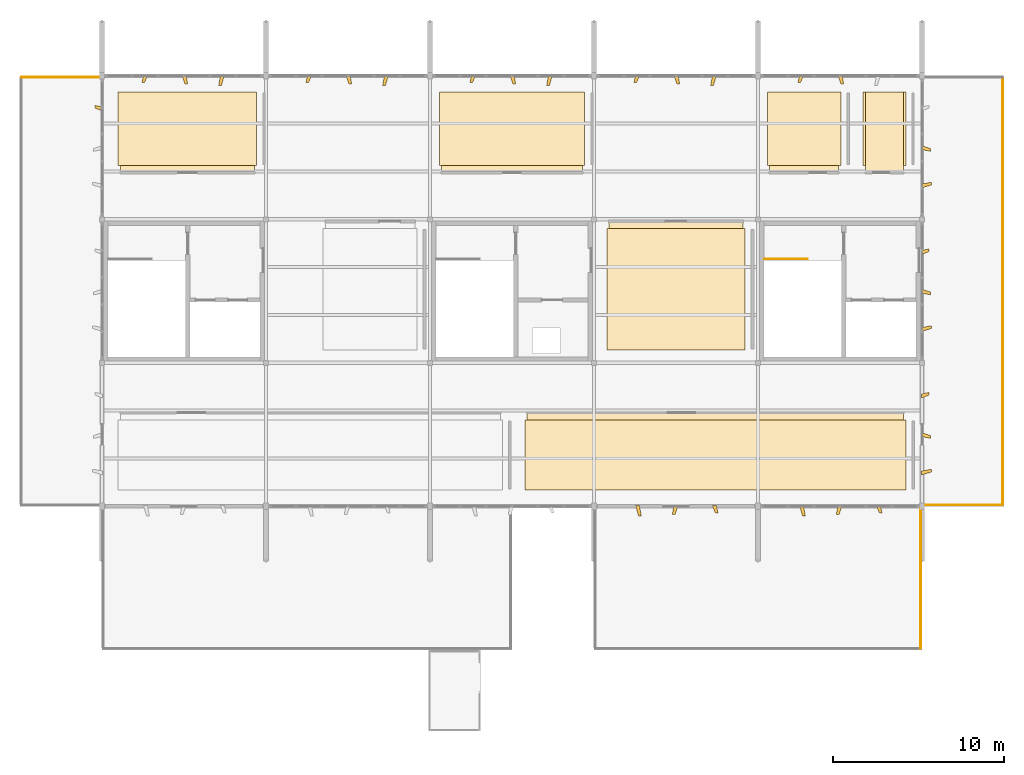
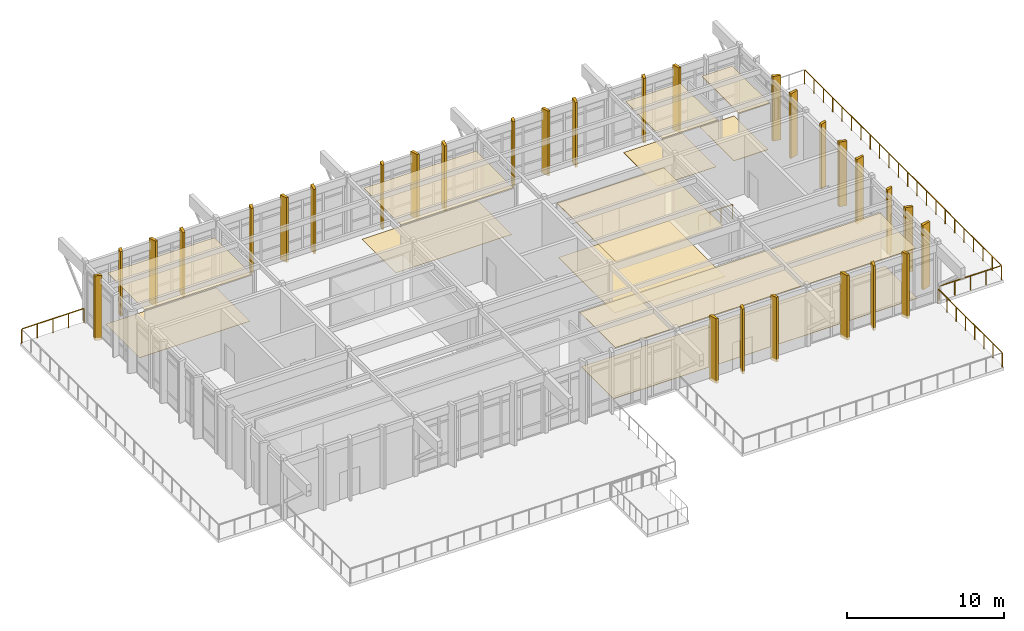
# One storey, part 18 of 19: 41 coverings, 5 railings.
"""IFC4 building model written with IfcOpenShell, lengths in metres."""

from ifc_helpers import new_model, si_unit, direction, frame, origin, origin_2d, place, context, subcontext, project, spatial, polyline, circle, outline, extrude, material, layer, layer_set, type_object, element, save


model = new_model("IFC4")

# Units and contexts
model_context = context("Model", 3, precision=1e-05, world=origin(), true_north=direction((0.0, 1.0)))
body_context = subcontext(model_context, "Body", "Model", "MODEL_VIEW")
ifc_project = project(units=[si_unit("LENGTHUNIT", "METRE"), si_unit("AREAUNIT", "SQUARE_METRE"), si_unit("VOLUMEUNIT", "CUBIC_METRE"), si_unit("PLANEANGLEUNIT", "RADIAN"), si_unit("MASSUNIT", "GRAM", prefix="KILO")], contexts=[model_context])

# Site, building, storey
site_placement = place(None, origin())
site = spatial("IfcSite", under=ifc_project, at=site_placement, CompositionType="ELEMENT")
building_placement = place(site_placement, origin())
building = spatial("IfcBuilding", under=site, at=building_placement, Name="Kolvemor Railside Polytechnic", CompositionType="ELEMENT")
storey_placement = place(building_placement, frame((0.0, 0.0, 27.0)))
storey = spatial("IfcBuildingStorey", under=building, at=storey_placement, Name="L06", CompositionType="ELEMENT", Elevation=27.0)

# Coverings
ifc_material_1 = material(Name="Perforated acoustic mineral-fibre and timber-slat ceiling", Category="wood")
ifc_layer_1 = layer(ifc_material_1, 0.02490234375, Name="COV-CEIL-1")
ifc_layer_set_1 = layer_set([ifc_layer_1], Name="Perforated acoustic mineral-fibre and timber-slat ceiling")
covering_type_1 = type_object("IfcCoveringType", Name="COV-CEIL-1", PredefinedType="CEILING", material=ifc_layer_set_1)
covering_1_placement = place(storey_placement, frame((0.0, 0.0, 3.919921875)))
element("IfcCovering", 1, at=covering_1_placement, inside=storey, type_object=covering_type_1, Name="Library Seminar Room 601 Acoustic Ceiling", PredefinedType="CEILING", context=body_context, shape_type="SweptSolid", body=[
    extrude(outline(polyline([(68.280029296875, 32.719970703125), (76.1201171875, 32.719970703125), (76.1201171875, 37.449951171875), (68.280029296875, 37.449951171875), (68.280029296875, 32.719970703125)])), origin(), (0.0, 0.0, 1.0), 0.025146484375),
])
ifc_material_2 = material(Name="Perforated acoustic mineral-fibre and timber-slat ceiling", Category="wood")
ifc_layer_2 = layer(ifc_material_2, 0.030029296875, Name="COV-CEIL-2")
ifc_layer_set_2 = layer_set([ifc_layer_2], Name="Perforated acoustic mineral-fibre and timber-slat ceiling")
covering_type_2 = type_object("IfcCoveringType", Name="COV-CEIL-2", PredefinedType="CEILING", material=ifc_layer_set_2)
covering_2_placement = place(storey_placement, frame((0.0, 0.0, 3.9150390625)))
element("IfcCovering", 2, at=covering_2_placement, inside=storey, type_object=covering_type_2, Name="Library Reading Commons East Acoustic Ceiling", PredefinedType="CEILING", context=body_context, shape_type="SweptSolid", body=[
    extrude(outline(polyline([(92.080078125, 14.14990234375), (114.1201171875, 14.14990234375), (114.1201171875, 18.679931640625), (92.080078125, 18.679931640625), (92.080078125, 14.14990234375)])), origin(), (0.0, 0.0, 1.0), 0.030029296875),
])
covering_3_placement = place(storey_placement, frame((0.0, 0.0, 3.9150390625)))
element("IfcCovering", 3, at=covering_3_placement, inside=storey, type_object=covering_type_2, Name="Library Group Study Seminar Room 602 Acoustic Ceiling", PredefinedType="CEILING", context=body_context, shape_type="SweptSolid", body=[
    extrude(outline(polyline([(87.080078125, 32.719970703125), (95.320068359375, 32.719970703125), (95.320068359375, 37.449951171875), (87.080078125, 37.449951171875), (87.080078125, 32.719970703125)])), origin(), (0.0, 0.0, 1.0), 0.030029296875),
])
ifc_material_3 = material(Name="Perforated acoustic mineral-fibre and timber-slat ceiling", Category="wood")
ifc_layer_3 = layer(ifc_material_3, 0.034912109375, Name="COV-CEIL-3")
ifc_layer_set_3 = layer_set([ifc_layer_3], Name="Perforated acoustic mineral-fibre and timber-slat ceiling")
covering_type_3 = type_object("IfcCoveringType", Name="COV-CEIL-3", PredefinedType="CEILING", material=ifc_layer_set_3)
covering_4_placement = place(storey_placement, frame((0.0, 0.0, 3.909912109375)))
element("IfcCovering", 4, at=covering_4_placement, inside=storey, type_object=covering_type_3, Name="Technical Librarians and Digital Archive Suite Acoustic Ceiling", PredefinedType="CEILING", context=body_context, shape_type="SweptSolid", body=[
    extrude(outline(polyline([(106.280029296875, 32.719970703125), (110.320068359375, 32.719970703125), (110.320068359375, 37.449951171875), (106.280029296875, 37.449951171875), (106.280029296875, 32.719970703125)])), origin(), (0.0, 0.0, 1.0), 0.03515625),
])
ifc_material_4 = material(Name="Perforated acoustic mineral-fibre and timber-slat ceiling", Category="wood")
ifc_layer_4 = layer(ifc_material_4, 0.0400390625, Name="COV-CEIL-4")
ifc_layer_set_4 = layer_set([ifc_layer_4], Name="Perforated acoustic mineral-fibre and timber-slat ceiling")
covering_type_4 = type_object("IfcCoveringType", Name="COV-CEIL-4", PredefinedType="CEILING", material=ifc_layer_set_4)
covering_5_placement = place(storey_placement, frame((0.0, 0.0, 3.905029296875)))
element("IfcCovering", 5, at=covering_5_placement, inside=storey, type_object=covering_type_4, Name="Library Open Stacks East Acoustic Ceiling", PredefinedType="CEILING", context=body_context, shape_type="SweptSolid", body=[
    extrude(outline(polyline([(96.8798828125, 22.35009765625), (104.719970703125, 22.35009765625), (104.719970703125, 29.8798828125), (96.8798828125, 29.8798828125), (96.8798828125, 22.35009765625)])), origin(), (0.0, 0.0, 1.0), 0.0400390625),
])
covering_6_placement = place(storey_placement, frame((0.0, 0.0, 3.905029296875)))
element("IfcCovering", 6, at=covering_6_placement, inside=storey, type_object=covering_type_4, Name="Library Public and Accessible WC L06 Acoustic Ceiling", PredefinedType="CEILING", context=body_context, shape_type="SweptSolid", body=[
    extrude(outline(polyline([(111.8798828125, 32.719970703125), (114.1201171875, 32.719970703125), (114.1201171875, 37.449951171875), (111.8798828125, 37.449951171875), (111.8798828125, 32.719970703125)])), origin(), (0.0, 0.0, 1.0), 0.0400390625),
])
ifc_material_5 = material(Name="Champagne-bronze PVDF-anodised marine aluminium 5052-H32", Category="aluminium")
ifc_layer_5 = layer(ifc_material_5, 0.179931640625, Name="COV-FIN-CHAMP")
ifc_layer_set_5 = layer_set([ifc_layer_5], Name="Champagne-bronze PVDF-anodised marine aluminium 5052-H32")
covering_type_5 = type_object("IfcCoveringType", Name="COV-FIN-CHAMP", PredefinedType="CLADDING", material=ifc_layer_set_5)
covering_7_placement = place(storey_placement, frame((0.0, 0.0, -0.219970703125)))
element("IfcCovering", 7, at=covering_7_placement, inside=storey, type_object=covering_type_5, Name="Pleated Solar Fin L06-0637", PredefinedType="CLADDING", context=body_context, shape_type="SweptSolid", body=[
    extrude(outline(polyline([(98.43505859375, 13.235107421875), (98.6650390625, 13.235107421875), (98.77001953125, 12.635009765625), (98.610107421875, 12.635009765625), (98.43505859375, 13.235107421875)])), origin(), (0.0, 0.0, 1.0), 5.02001953125),
])
covering_8_placement = place(storey_placement, frame((0.0, 0.0, -0.219970703125)))
element("IfcCovering", 8, at=covering_8_placement, inside=storey, type_object=covering_type_5, Name="Pleated Solar Fin L06-0638", PredefinedType="CLADDING", context=body_context, shape_type="SweptSolid", body=[
    extrude(outline(polyline([(100.68505859375, 13.235107421875), (100.9150390625, 13.235107421875), (100.739990234375, 12.715087890625), (100.580078125, 12.715087890625), (100.68505859375, 13.235107421875)])), origin(), (0.0, 0.0, 1.0), 5.02001953125),
])
covering_9_placement = place(storey_placement, frame((0.0, 0.0, -0.219970703125)))
element("IfcCovering", 9, at=covering_9_placement, inside=storey, type_object=covering_type_5, Name="Pleated Solar Fin L06-0639", PredefinedType="CLADDING", context=body_context, shape_type="SweptSolid", body=[
    extrude(outline(polyline([(102.93505859375, 13.235107421875), (103.1650390625, 13.235107421875), (103.27001953125, 12.794921875), (103.110107421875, 12.794921875), (102.93505859375, 13.235107421875)])), origin(), (0.0, 0.0, 1.0), 5.02001953125),
])
covering_10_placement = place(storey_placement, frame((0.0, 0.0, -0.219970703125)))
element("IfcCovering", 10, at=covering_10_placement, inside=storey, type_object=covering_type_5, Name="Pleated Solar Fin L06-0643", PredefinedType="CLADDING", context=body_context, shape_type="SweptSolid", body=[
    extrude(outline(polyline([(108.034912109375, 13.235107421875), (108.264892578125, 13.235107421875), (108.3701171875, 12.635009765625), (108.2099609375, 12.635009765625), (108.034912109375, 13.235107421875)])), origin(), (0.0, 0.0, 1.0), 5.02001953125),
])
covering_11_placement = place(storey_placement, frame((0.0, 0.0, -0.219970703125)))
element("IfcCovering", 11, at=covering_11_placement, inside=storey, type_object=covering_type_5, Name="Pleated Solar Fin L06-0644", PredefinedType="CLADDING", context=body_context, shape_type="SweptSolid", body=[
    extrude(outline(polyline([(110.284912109375, 13.235107421875), (110.514892578125, 13.235107421875), (110.340087890625, 12.715087890625), (110.179931640625, 12.715087890625), (110.284912109375, 13.235107421875)])), origin(), (0.0, 0.0, 1.0), 5.02001953125),
])
covering_12_placement = place(storey_placement, frame((0.0, 0.0, -0.219970703125)))
element("IfcCovering", 12, at=covering_12_placement, inside=storey, type_object=covering_type_5, Name="Pleated Solar Fin L06-0645", PredefinedType="CLADDING", context=body_context, shape_type="SweptSolid", body=[
    extrude(outline(polyline([(112.534912109375, 13.235107421875), (112.764892578125, 13.235107421875), (112.8701171875, 12.794921875), (112.7099609375, 12.794921875), (112.534912109375, 13.235107421875)])), origin(), (0.0, 0.0, 1.0), 5.02001953125),
])
covering_13_placement = place(storey_placement, frame((0.0, 0.0, -0.219970703125)))
element("IfcCovering", 13, at=covering_13_placement, inside=storey, type_object=covering_type_5, Name="Pleated Solar Fin L06-0663", PredefinedType="CLADDING", context=body_context, shape_type="SweptSolid", body=[
    extrude(outline(polyline([(67.235107421875, 36.3349609375), (67.235107421875, 36.56494140625), (66.7939453125, 36.669921875), (66.7939453125, 36.510009765625), (67.235107421875, 36.3349609375)])), origin(), (0.0, 0.0, 1.0), 5.02001953125),
])
ifc_material_6 = material(Name="Sea-mist PVDF-anodised marine aluminium 5052-H32", Category="aluminium")
ifc_layer_6 = layer(ifc_material_6, 0.159912109375, Name="COV-FIN-MIST")
ifc_layer_set_6 = layer_set([ifc_layer_6], Name="Sea-mist PVDF-anodised marine aluminium 5052-H32")
covering_type_6 = type_object("IfcCoveringType", Name="COV-FIN-MIST", PredefinedType="CLADDING", material=ifc_layer_set_6)
covering_14_placement = place(storey_placement, frame((0.0, 0.0, -0.219970703125)))
element("IfcCovering", 14, at=covering_14_placement, inside=storey, type_object=covering_type_6, Name="Pleated Solar Fin L06-0622", PredefinedType="CLADDING", context=body_context, shape_type="SweptSolid", body=[
    extrude(outline(polyline([(74.364990234375, 38.43505859375), (74.135009765625, 38.43505859375), (74.030029296875, 37.8349609375), (74.18994140625, 37.8349609375), (74.364990234375, 38.43505859375)])), origin(), (0.0, 0.0, 1.0), 5.02001953125),
])
covering_15_placement = place(storey_placement, frame((0.0, 0.0, -0.219970703125)))
element("IfcCovering", 15, at=covering_15_placement, inside=storey, type_object=covering_type_6, Name="Pleated Solar Fin L06-0623", PredefinedType="CLADDING", context=body_context, shape_type="SweptSolid", body=[
    extrude(outline(polyline([(72.114990234375, 38.43505859375), (71.885009765625, 38.43505859375), (72.06005859375, 37.9150390625), (72.219970703125, 37.9150390625), (72.114990234375, 38.43505859375)])), origin(), (0.0, 0.0, 1.0), 5.02001953125),
])
covering_16_placement = place(storey_placement, frame((0.0, 0.0, -0.219970703125)))
element("IfcCovering", 16, at=covering_16_placement, inside=storey, type_object=covering_type_6, Name="Pleated Solar Fin L06-0624", PredefinedType="CLADDING", context=body_context, shape_type="SweptSolid", body=[
    extrude(outline(polyline([(69.864990234375, 38.43505859375), (69.635009765625, 38.43505859375), (69.530029296875, 37.9951171875), (69.68994140625, 37.9951171875), (69.864990234375, 38.43505859375)])), origin(), (0.0, 0.0, 1.0), 5.02001953125),
])
covering_17_placement = place(storey_placement, frame((0.0, 0.0, -0.219970703125)))
element("IfcCovering", 17, at=covering_17_placement, inside=storey, type_object=covering_type_6, Name="Pleated Solar Fin L06-0628", PredefinedType="CLADDING", context=body_context, shape_type="SweptSolid", body=[
    extrude(outline(polyline([(83.965087890625, 38.43505859375), (83.735107421875, 38.43505859375), (83.6298828125, 37.8349609375), (83.7900390625, 37.8349609375), (83.965087890625, 38.43505859375)])), origin(), (0.0, 0.0, 1.0), 5.02001953125),
])
covering_18_placement = place(storey_placement, frame((0.0, 0.0, -0.219970703125)))
element("IfcCovering", 18, at=covering_18_placement, inside=storey, type_object=covering_type_6, Name="Pleated Solar Fin L06-0629", PredefinedType="CLADDING", context=body_context, shape_type="SweptSolid", body=[
    extrude(outline(polyline([(81.715087890625, 38.43505859375), (81.485107421875, 38.43505859375), (81.659912109375, 37.9150390625), (81.820068359375, 37.9150390625), (81.715087890625, 38.43505859375)])), origin(), (0.0, 0.0, 1.0), 5.02001953125),
])
covering_19_placement = place(storey_placement, frame((0.0, 0.0, -0.219970703125)))
element("IfcCovering", 19, at=covering_19_placement, inside=storey, type_object=covering_type_6, Name="Pleated Solar Fin L06-0630", PredefinedType="CLADDING", context=body_context, shape_type="SweptSolid", body=[
    extrude(outline(polyline([(79.465087890625, 38.43505859375), (79.235107421875, 38.43505859375), (79.1298828125, 37.9951171875), (79.2900390625, 37.9951171875), (79.465087890625, 38.43505859375)])), origin(), (0.0, 0.0, 1.0), 5.02001953125),
])
covering_20_placement = place(storey_placement, frame((0.0, 0.0, -0.219970703125)))
element("IfcCovering", 20, at=covering_20_placement, inside=storey, type_object=covering_type_6, Name="Pleated Solar Fin L06-0634", PredefinedType="CLADDING", context=body_context, shape_type="SweptSolid", body=[
    extrude(outline(polyline([(93.56494140625, 38.43505859375), (93.3349609375, 38.43505859375), (93.22998046875, 37.8349609375), (93.389892578125, 37.8349609375), (93.56494140625, 38.43505859375)])), origin(), (0.0, 0.0, 1.0), 5.02001953125),
])
covering_21_placement = place(storey_placement, frame((0.0, 0.0, -0.219970703125)))
element("IfcCovering", 21, at=covering_21_placement, inside=storey, type_object=covering_type_6, Name="Pleated Solar Fin L06-0635", PredefinedType="CLADDING", context=body_context, shape_type="SweptSolid", body=[
    extrude(outline(polyline([(91.31494140625, 38.43505859375), (91.0849609375, 38.43505859375), (91.260009765625, 37.9150390625), (91.419921875, 37.9150390625), (91.31494140625, 38.43505859375)])), origin(), (0.0, 0.0, 1.0), 5.02001953125),
])
covering_22_placement = place(storey_placement, frame((0.0, 0.0, -0.219970703125)))
element("IfcCovering", 22, at=covering_22_placement, inside=storey, type_object=covering_type_6, Name="Pleated Solar Fin L06-0636", PredefinedType="CLADDING", context=body_context, shape_type="SweptSolid", body=[
    extrude(outline(polyline([(89.06494140625, 38.43505859375), (88.8349609375, 38.43505859375), (88.72998046875, 37.9951171875), (88.889892578125, 37.9951171875), (89.06494140625, 38.43505859375)])), origin(), (0.0, 0.0, 1.0), 5.02001953125),
])
covering_23_placement = place(storey_placement, frame((0.0, 0.0, -0.219970703125)))
element("IfcCovering", 23, at=covering_23_placement, inside=storey, type_object=covering_type_6, Name="Pleated Solar Fin L06-0640", PredefinedType="CLADDING", context=body_context, shape_type="SweptSolid", body=[
    extrude(outline(polyline([(103.1650390625, 38.43505859375), (102.93505859375, 38.43505859375), (102.830078125, 37.8349609375), (102.989990234375, 37.8349609375), (103.1650390625, 38.43505859375)])), origin(), (0.0, 0.0, 1.0), 5.02001953125),
])
covering_24_placement = place(storey_placement, frame((0.0, 0.0, -0.219970703125)))
element("IfcCovering", 24, at=covering_24_placement, inside=storey, type_object=covering_type_6, Name="Pleated Solar Fin L06-0641", PredefinedType="CLADDING", context=body_context, shape_type="SweptSolid", body=[
    extrude(outline(polyline([(100.9150390625, 38.43505859375), (100.68505859375, 38.43505859375), (100.860107421875, 37.9150390625), (101.02001953125, 37.9150390625), (100.9150390625, 38.43505859375)])), origin(), (0.0, 0.0, 1.0), 5.02001953125),
])
covering_25_placement = place(storey_placement, frame((0.0, 0.0, -0.219970703125)))
element("IfcCovering", 25, at=covering_25_placement, inside=storey, type_object=covering_type_6, Name="Pleated Solar Fin L06-0642", PredefinedType="CLADDING", context=body_context, shape_type="SweptSolid", body=[
    extrude(outline(polyline([(98.6650390625, 38.43505859375), (98.43505859375, 38.43505859375), (98.330078125, 37.9951171875), (98.489990234375, 37.9951171875), (98.6650390625, 38.43505859375)])), origin(), (0.0, 0.0, 1.0), 5.02001953125),
])
covering_26_placement = place(storey_placement, frame((0.0, 0.0, -0.219970703125)))
element("IfcCovering", 26, at=covering_26_placement, inside=storey, type_object=covering_type_6, Name="Pleated Solar Fin L06-0647", PredefinedType="CLADDING", context=body_context, shape_type="SweptSolid", body=[
    extrude(outline(polyline([(110.514892578125, 38.43505859375), (110.284912109375, 38.43505859375), (110.4599609375, 37.9150390625), (110.6201171875, 37.9150390625), (110.514892578125, 38.43505859375)])), origin(), (0.0, 0.0, 1.0), 5.02001953125),
])
covering_27_placement = place(storey_placement, frame((0.0, 0.0, -0.219970703125)))
element("IfcCovering", 27, at=covering_27_placement, inside=storey, type_object=covering_type_6, Name="Pleated Solar Fin L06-0648", PredefinedType="CLADDING", context=body_context, shape_type="SweptSolid", body=[
    extrude(outline(polyline([(108.264892578125, 38.43505859375), (108.034912109375, 38.43505859375), (107.929931640625, 37.9951171875), (108.090087890625, 37.9951171875), (108.264892578125, 38.43505859375)])), origin(), (0.0, 0.0, 1.0), 5.02001953125),
])
covering_28_placement = place(storey_placement, frame((0.0, 0.0, -0.219970703125)))
element("IfcCovering", 28, at=covering_28_placement, inside=storey, type_object=covering_type_6, Name="Pleated Solar Fin L06-0652", PredefinedType="CLADDING", context=body_context, shape_type="SweptSolid", body=[
    extrude(outline(polyline([(115.1650390625, 15.034912109375), (115.1650390625, 15.264892578125), (115.763916015625, 15.3701171875), (115.763916015625, 15.2099609375), (115.1650390625, 15.034912109375)])), origin(), (0.0, 0.0, 1.0), 5.02001953125),
])
covering_29_placement = place(storey_placement, frame((0.0, 0.0, -0.219970703125)))
element("IfcCovering", 29, at=covering_29_placement, inside=storey, type_object=covering_type_6, Name="Pleated Solar Fin L06-0653", PredefinedType="CLADDING", context=body_context, shape_type="SweptSolid", body=[
    extrude(outline(polyline([(115.1650390625, 17.284912109375), (115.1650390625, 17.514892578125), (115.68505859375, 17.340087890625), (115.68505859375, 17.179931640625), (115.1650390625, 17.284912109375)])), origin(), (0.0, 0.0, 1.0), 5.02001953125),
])
covering_30_placement = place(storey_placement, frame((0.0, 0.0, -0.219970703125)))
element("IfcCovering", 30, at=covering_30_placement, inside=storey, type_object=covering_type_6, Name="Pleated Solar Fin L06-0654", PredefinedType="CLADDING", context=body_context, shape_type="SweptSolid", body=[
    extrude(outline(polyline([(115.1650390625, 19.534912109375), (115.1650390625, 19.764892578125), (115.60595703125, 19.8701171875), (115.60595703125, 19.7099609375), (115.1650390625, 19.534912109375)])), origin(), (0.0, 0.0, 1.0), 5.02001953125),
])
covering_31_placement = place(storey_placement, frame((0.0, 0.0, -0.219970703125)))
element("IfcCovering", 31, at=covering_31_placement, inside=storey, type_object=covering_type_6, Name="Pleated Solar Fin L06-0658", PredefinedType="CLADDING", context=body_context, shape_type="SweptSolid", body=[
    extrude(outline(polyline([(115.1650390625, 23.43505859375), (115.1650390625, 23.6650390625), (115.763916015625, 23.77001953125), (115.763916015625, 23.610107421875), (115.1650390625, 23.43505859375)])), origin(), (0.0, 0.0, 1.0), 5.02001953125),
])
covering_32_placement = place(storey_placement, frame((0.0, 0.0, -0.219970703125)))
element("IfcCovering", 32, at=covering_32_placement, inside=storey, type_object=covering_type_6, Name="Pleated Solar Fin L06-0659", PredefinedType="CLADDING", context=body_context, shape_type="SweptSolid", body=[
    extrude(outline(polyline([(115.1650390625, 25.68505859375), (115.1650390625, 25.9150390625), (115.68505859375, 25.739990234375), (115.68505859375, 25.580078125), (115.1650390625, 25.68505859375)])), origin(), (0.0, 0.0, 1.0), 5.02001953125),
])
covering_33_placement = place(storey_placement, frame((0.0, 0.0, -0.219970703125)))
element("IfcCovering", 33, at=covering_33_placement, inside=storey, type_object=covering_type_6, Name="Pleated Solar Fin L06-0660", PredefinedType="CLADDING", context=body_context, shape_type="SweptSolid", body=[
    extrude(outline(polyline([(115.1650390625, 27.93505859375), (115.1650390625, 28.1650390625), (115.60595703125, 28.27001953125), (115.60595703125, 28.110107421875), (115.1650390625, 27.93505859375)])), origin(), (0.0, 0.0, 1.0), 5.02001953125),
])
covering_34_placement = place(storey_placement, frame((0.0, 0.0, -0.219970703125)))
element("IfcCovering", 34, at=covering_34_placement, inside=storey, type_object=covering_type_6, Name="Pleated Solar Fin L06-0664", PredefinedType="CLADDING", context=body_context, shape_type="SweptSolid", body=[
    extrude(outline(polyline([(115.1650390625, 31.8349609375), (115.1650390625, 32.06494140625), (115.763916015625, 32.169921875), (115.763916015625, 32.010009765625), (115.1650390625, 31.8349609375)])), origin(), (0.0, 0.0, 1.0), 5.02001953125),
])
covering_35_placement = place(storey_placement, frame((0.0, 0.0, -0.219970703125)))
element("IfcCovering", 35, at=covering_35_placement, inside=storey, type_object=covering_type_6, Name="Pleated Solar Fin L06-0665", PredefinedType="CLADDING", context=body_context, shape_type="SweptSolid", body=[
    extrude(outline(polyline([(115.1650390625, 34.0849609375), (115.1650390625, 34.31494140625), (115.68505859375, 34.139892578125), (115.68505859375, 33.97998046875), (115.1650390625, 34.0849609375)])), origin(), (0.0, 0.0, 1.0), 5.02001953125),
])
ifc_material_7 = material(Name="Polished coral-aggregate terrazzo and laboratory epoxy flooring")
ifc_layer_7 = layer(ifc_material_7, 0.02001953125, Name="COV-FLR-1")
ifc_layer_set_7 = layer_set([ifc_layer_7], Name="Polished coral-aggregate terrazzo and laboratory epoxy flooring")
covering_type_7 = type_object("IfcCoveringType", Name="COV-FLR-1", PredefinedType="FLOORING", material=ifc_layer_set_7)
covering_36_placement = place(storey_placement, origin())
element("IfcCovering", 36, at=covering_36_placement, inside=storey, type_object=covering_type_7, Name="Library Seminar Room 601 Floor Finish", PredefinedType="FLOORING", context=body_context, shape_type="SweptSolid", body=[
    extrude(outline(polyline([(68.14990234375, 33.14990234375), (76.25, 33.14990234375), (76.25, 37.449951171875), (68.14990234375, 37.449951171875), (68.14990234375, 33.14990234375)])), origin(), (0.0, 0.0, 1.0), 0.02001953125),
])
ifc_material_8 = material(Name="Polished coral-aggregate terrazzo and laboratory epoxy flooring")
ifc_layer_8 = layer(ifc_material_8, 0.02490234375, Name="COV-FLR-2")
ifc_layer_set_8 = layer_set([ifc_layer_8], Name="Polished coral-aggregate terrazzo and laboratory epoxy flooring")
covering_type_8 = type_object("IfcCoveringType", Name="COV-FLR-2", PredefinedType="FLOORING", material=ifc_layer_set_8)
covering_37_placement = place(storey_placement, origin())
element("IfcCovering", 37, at=covering_37_placement, inside=storey, type_object=covering_type_8, Name="Library Reading Commons East Floor Finish", PredefinedType="FLOORING", context=body_context, shape_type="SweptSolid", body=[
    extrude(outline(polyline([(91.949951171875, 14.14990234375), (114.25, 14.14990234375), (114.25, 18.25), (91.949951171875, 18.25), (91.949951171875, 14.14990234375)])), origin(), (0.0, 0.0, 1.0), 0.02490234375),
])
covering_38_placement = place(storey_placement, origin())
element("IfcCovering", 38, at=covering_38_placement, inside=storey, type_object=covering_type_8, Name="Library Group Study Seminar Room 602 Floor Finish", PredefinedType="FLOORING", context=body_context, shape_type="SweptSolid", body=[
    extrude(outline(polyline([(86.949951171875, 33.14990234375), (95.449951171875, 33.14990234375), (95.449951171875, 37.449951171875), (86.949951171875, 37.449951171875), (86.949951171875, 33.14990234375)])), origin(), (0.0, 0.0, 1.0), 0.02490234375),
])
ifc_material_9 = material(Name="Polished coral-aggregate terrazzo and laboratory epoxy flooring")
ifc_layer_9 = layer(ifc_material_9, 0.030029296875, Name="COV-FLR-3")
ifc_layer_set_9 = layer_set([ifc_layer_9], Name="Polished coral-aggregate terrazzo and laboratory epoxy flooring")
covering_type_9 = type_object("IfcCoveringType", Name="COV-FLR-3", PredefinedType="FLOORING", material=ifc_layer_set_9)
covering_39_placement = place(storey_placement, origin())
element("IfcCovering", 39, at=covering_39_placement, inside=storey, type_object=covering_type_9, Name="Technical Librarians and Digital Archive Suite Floor Finish", PredefinedType="FLOORING", context=body_context, shape_type="SweptSolid", body=[
    extrude(outline(polyline([(106.14990234375, 33.14990234375), (110.449951171875, 33.14990234375), (110.449951171875, 37.449951171875), (106.14990234375, 37.449951171875), (106.14990234375, 33.14990234375)])), origin(), (0.0, 0.0, 1.0), 0.030029296875),
])
ifc_material_10 = material(Name="Polished coral-aggregate terrazzo and laboratory epoxy flooring")
ifc_layer_10 = layer(ifc_material_10, 0.034912109375, Name="COV-FLR-4")
ifc_layer_set_10 = layer_set([ifc_layer_10], Name="Polished coral-aggregate terrazzo and laboratory epoxy flooring")
covering_type_10 = type_object("IfcCoveringType", Name="COV-FLR-4", PredefinedType="FLOORING", material=ifc_layer_set_10)
covering_40_placement = place(storey_placement, origin())
element("IfcCovering", 40, at=covering_40_placement, inside=storey, type_object=covering_type_10, Name="Library Open Stacks East Floor Finish", PredefinedType="FLOORING", context=body_context, shape_type="SweptSolid", body=[
    extrude(outline(polyline([(96.75, 22.35009765625), (104.85009765625, 22.35009765625), (104.85009765625, 29.449951171875), (96.75, 29.449951171875), (96.75, 22.35009765625)])), origin(), (0.0, 0.0, 1.0), 0.034912109375),
])
covering_41_placement = place(storey_placement, origin())
element("IfcCovering", 41, at=covering_41_placement, inside=storey, type_object=covering_type_10, Name="Library Public and Accessible WC L06 Floor Finish", PredefinedType="FLOORING", context=body_context, shape_type="SweptSolid", body=[
    extrude(outline(polyline([(111.75, 33.14990234375), (114.25, 33.14990234375), (114.25, 37.449951171875), (111.75, 37.449951171875), (111.75, 33.14990234375)])), origin(), (0.0, 0.0, 1.0), 0.034912109375),
])

# Railings
ifc_material_11 = material(Name="AISI 316 marine stainless-steel balustrade guard", Category="steel")
railing_type = type_object("IfcRailingType", Name="RLG-GUARD-1120", PredefinedType="BALUSTRADE", material=ifc_material_11)
railing_1_placement = place(storey_placement, frame((115.1201171875, 4.8798828125, 0.0)))
element("IfcRailing", 42, at=railing_1_placement, inside=storey, type_object=railing_type, Name="Corner Study Terrace L06-SE E Guard GR-046", PredefinedType="BALUSTRADE", context=body_context, shape_type="SweptSolid", body=[
    extrude(circle(Radius=0.02392578125, at=origin_2d()), frame((0.0, 0.054931640625, 1.09619140625), z_axis=(0.0, 1.0, 0.0), x_axis=(-1.0, 0.0, 0.0)), (0.0, 0.0, 1.0), 8.070068359375),
    extrude(circle(Radius=0.02099609375, at=origin_2d()), origin(), (0.0, 0.0, 1.0), 1.05712890625),
    extrude(circle(Radius=0.02099609375, at=origin_2d()), frame((0.0, 1.168701171875, 0.0)), (0.0, 0.0, 1.0), 1.05712890625),
    extrude(circle(Radius=0.02099609375, at=origin_2d()), frame((0.0, 2.337158203125, 0.0)), (0.0, 0.0, 1.0), 1.05712890625),
    extrude(circle(Radius=0.02099609375, at=origin_2d()), frame((0.0, 3.505859375, 0.0)), (0.0, 0.0, 1.0), 1.05712890625),
    extrude(circle(Radius=0.02099609375, at=origin_2d()), frame((0.0, 4.67431640625, 0.0)), (0.0, 0.0, 1.0), 1.05712890625),
    extrude(circle(Radius=0.02099609375, at=origin_2d()), frame((0.0, 5.843017578125, 0.0)), (0.0, 0.0, 1.0), 1.05712890625),
    extrude(circle(Radius=0.02099609375, at=origin_2d()), frame((0.0, 7.011474609375, 0.0)), (0.0, 0.0, 1.0), 1.05712890625),
    extrude(circle(Radius=0.02099609375, at=origin_2d()), frame((0.0, 8.18017578125, 0.0)), (0.0, 0.0, 1.0), 1.05712890625),
])
railing_2_placement = place(storey_placement, frame((67.06005859375, 38.320068359375, 0.0)))
element("IfcRailing", 43, at=railing_2_placement, inside=storey, type_object=railing_type, Name="Corner Study Terrace L06-W N Guard GR-049", PredefinedType="BALUSTRADE", context=body_context, shape_type="SweptSolid", body=[
    extrude(circle(Radius=0.02392578125, at=origin_2d()), frame((-0.054931640625, 0.0, 1.09619140625), z_axis=(-1.0, 0.0, 0.0), x_axis=(0.0, -1.0, 0.0)), (0.0, 0.0, 1.0), 4.469970703125),
    extrude(circle(Radius=0.02099609375, at=origin_2d()), origin(), (0.0, 0.0, 1.0), 1.05712890625),
    extrude(circle(Radius=0.02099609375, at=origin_2d()), frame((-1.14501953125, 0.0, 0.0)), (0.0, 0.0, 1.0), 1.05712890625),
    extrude(circle(Radius=0.02099609375, at=origin_2d()), frame((-2.2900390625, 0.0, 0.0)), (0.0, 0.0, 1.0), 1.05712890625),
    extrude(circle(Radius=0.02099609375, at=origin_2d()), frame((-3.43505859375, 0.0, 0.0)), (0.0, 0.0, 1.0), 1.05712890625),
    extrude(circle(Radius=0.02099609375, at=origin_2d()), frame((-4.580078125, 0.0, 0.0)), (0.0, 0.0, 1.0), 1.05712890625),
])
railing_3_placement = place(storey_placement, frame((115.340087890625, 13.280029296875, 0.0)))
element("IfcRailing", 44, at=railing_3_placement, inside=storey, type_object=railing_type, Name="Corner Study Terrace L06-E S Guard GR-051", PredefinedType="BALUSTRADE", context=body_context, shape_type="SweptSolid", body=[
    extrude(circle(Radius=0.02392578125, at=origin_2d()), frame((0.054931640625, 0.0, 1.09619140625), z_axis=(1.0, 0.0, 0.0), x_axis=(0.0, 1.0, 0.0)), (0.0, 0.0, 1.0), 4.4697265625),
    extrude(circle(Radius=0.02099609375, at=origin_2d()), origin(), (0.0, 0.0, 1.0), 1.05712890625),
    extrude(circle(Radius=0.02099609375, at=origin_2d()), frame((1.14501953125, 0.0, 0.0)), (0.0, 0.0, 1.0), 1.05712890625),
    extrude(circle(Radius=0.02099609375, at=origin_2d()), frame((2.2900390625, 0.0, 0.0)), (0.0, 0.0, 1.0), 1.05712890625),
    extrude(circle(Radius=0.02099609375, at=origin_2d()), frame((3.434814453125, 0.0, 0.0)), (0.0, 0.0, 1.0), 1.05712890625),
    extrude(circle(Radius=0.02099609375, at=origin_2d()), frame((4.579833984375, 0.0, 0.0)), (0.0, 0.0, 1.0), 1.05712890625),
])
railing_4_placement = place(storey_placement, frame((119.919921875, 13.280029296875, 0.0)))
element("IfcRailing", 45, at=railing_4_placement, inside=storey, type_object=railing_type, Name="Corner Study Terrace L06-E E Guard GR-052", PredefinedType="BALUSTRADE", context=body_context, shape_type="SweptSolid", body=[
    extrude(circle(Radius=0.02392578125, at=origin_2d()), frame((0.0, 0.054931640625, 1.09619140625), z_axis=(0.0, 1.0, 0.0), x_axis=(-1.0, 0.0, 0.0)), (0.0, 0.0, 1.0), 24.929931640625),
    extrude(circle(Radius=0.02099609375, at=origin_2d()), origin(), (0.0, 0.0, 1.0), 1.05712890625),
    extrude(circle(Radius=0.02099609375, at=origin_2d()), frame((0.0, 1.1923828125, 0.0)), (0.0, 0.0, 1.0), 1.05712890625),
    extrude(circle(Radius=0.02099609375, at=origin_2d()), frame((0.0, 2.384765625, 0.0)), (0.0, 0.0, 1.0), 1.05712890625),
    extrude(circle(Radius=0.02099609375, at=origin_2d()), frame((0.0, 3.5771484375, 0.0)), (0.0, 0.0, 1.0), 1.05712890625),
    extrude(circle(Radius=0.02099609375, at=origin_2d()), frame((0.0, 4.76953125, 0.0)), (0.0, 0.0, 1.0), 1.05712890625),
    extrude(circle(Radius=0.02099609375, at=origin_2d()), frame((0.0, 5.9619140625, 0.0)), (0.0, 0.0, 1.0), 1.05712890625),
    extrude(circle(Radius=0.02099609375, at=origin_2d()), frame((0.0, 7.154296875, 0.0)), (0.0, 0.0, 1.0), 1.05712890625),
    extrude(circle(Radius=0.02099609375, at=origin_2d()), frame((0.0, 8.3466796875, 0.0)), (0.0, 0.0, 1.0), 1.05712890625),
    extrude(circle(Radius=0.02099609375, at=origin_2d()), frame((0.0, 9.5390625, 0.0)), (0.0, 0.0, 1.0), 1.05712890625),
    extrude(circle(Radius=0.02099609375, at=origin_2d()), frame((0.0, 10.7314453125, 0.0)), (0.0, 0.0, 1.0), 1.05712890625),
    extrude(circle(Radius=0.02099609375, at=origin_2d()), frame((0.0, 11.923828125, 0.0)), (0.0, 0.0, 1.0), 1.05712890625),
    extrude(circle(Radius=0.02099609375, at=origin_2d()), frame((0.0, 13.1162109375, 0.0)), (0.0, 0.0, 1.0), 1.05712890625),
    extrude(circle(Radius=0.02099609375, at=origin_2d()), frame((0.0, 14.30859375, 0.0)), (0.0, 0.0, 1.0), 1.05712890625),
    extrude(circle(Radius=0.02099609375, at=origin_2d()), frame((0.0, 15.5009765625, 0.0)), (0.0, 0.0, 1.0), 1.05712890625),
    extrude(circle(Radius=0.02099609375, at=origin_2d()), frame((0.0, 16.693359375, 0.0)), (0.0, 0.0, 1.0), 1.05712890625),
    extrude(circle(Radius=0.02099609375, at=origin_2d()), frame((0.0, 17.8857421875, 0.0)), (0.0, 0.0, 1.0), 1.05712890625),
    extrude(circle(Radius=0.02099609375, at=origin_2d()), frame((0.0, 19.078125, 0.0)), (0.0, 0.0, 1.0), 1.05712890625),
    extrude(circle(Radius=0.02099609375, at=origin_2d()), frame((0.0, 20.2705078125, 0.0)), (0.0, 0.0, 1.0), 1.05712890625),
    extrude(circle(Radius=0.02099609375, at=origin_2d()), frame((0.0, 21.462890625, 0.0)), (0.0, 0.0, 1.0), 1.05712890625),
    extrude(circle(Radius=0.02099609375, at=origin_2d()), frame((0.0, 22.6552734375, 0.0)), (0.0, 0.0, 1.0), 1.05712890625),
    extrude(circle(Radius=0.02099609375, at=origin_2d()), frame((0.0, 23.84765625, 0.0)), (0.0, 0.0, 1.0), 1.05712890625),
    extrude(circle(Radius=0.02099609375, at=origin_2d()), frame((0.0, 25.0400390625, 0.0)), (0.0, 0.0, 1.0), 1.05712890625),
])
railing_5_placement = place(storey_placement, frame((106.0, 27.679931640625, 0.0)))
element("IfcRailing", 46, at=railing_5_placement, inside=storey, type_object=railing_type, Name="ST-2 Top Well Guard L06", PredefinedType="BALUSTRADE", context=body_context, shape_type="SweptSolid", body=[
    extrude(circle(Radius=0.02392578125, at=origin_2d()), frame((0.054931640625, 0.0, 1.09619140625), z_axis=(1.0, 0.0, 0.0), x_axis=(0.0, 1.0, 0.0)), (0.0, 0.0, 1.0), 2.369873046875),
    extrude(circle(Radius=0.02099609375, at=origin_2d()), origin(), (0.0, 0.0, 1.0), 1.05712890625),
    extrude(circle(Radius=0.02099609375, at=origin_2d()), frame((0.82666015625, 0.0, 0.0)), (0.0, 0.0, 1.0), 1.05712890625),
    extrude(circle(Radius=0.02099609375, at=origin_2d()), frame((1.6533203125, 0.0, 0.0)), (0.0, 0.0, 1.0), 1.05712890625),
    extrude(circle(Radius=0.02099609375, at=origin_2d()), frame((2.47998046875, 0.0, 0.0)), (0.0, 0.0, 1.0), 1.05712890625),
])

save(model, "model.ifc")
